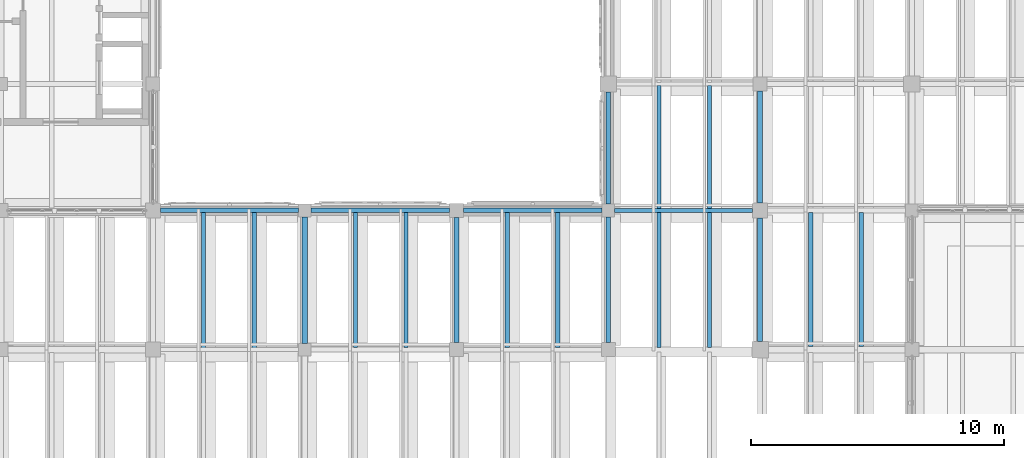
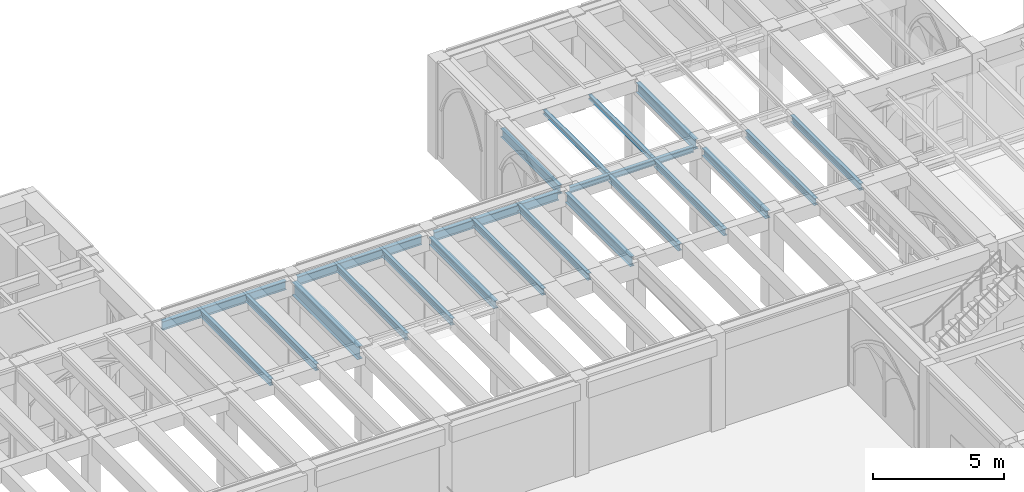
# One storey, part 32 of 127: 22 beams.
"""IFC4 building model written with IfcOpenShell, lengths in metres."""

from ifc_helpers import new_model, si_unit, direction, frame, origin, origin_2d, place, context, subcontext, project, spatial, i_section, extrude, material, material_profile, profile_set, type_object, element, save


model = new_model("IFC4")

# Units and contexts
model_context = context("Model", 3, precision=1e-05, world=origin(), true_north=direction((0.0, 1.0)))
body_context = subcontext(model_context, "Body", "Model", "MODEL_VIEW")
ifc_project = project(units=[si_unit("LENGTHUNIT", "METRE"), si_unit("AREAUNIT", "SQUARE_METRE"), si_unit("VOLUMEUNIT", "CUBIC_METRE"), si_unit("PLANEANGLEUNIT", "RADIAN"), si_unit("MASSUNIT", "GRAM", prefix="KILO")], contexts=[model_context])

# Site, building, storey
site_placement = place(None, origin())
site = spatial("IfcSite", under=ifc_project, at=site_placement, CompositionType="ELEMENT")
building_placement = place(site_placement, origin())
building = spatial("IfcBuilding", under=site, at=building_placement, Name="Cumevento Cable Car Station", CompositionType="ELEMENT")
storey_placement = place(building_placement, frame((0.0, 0.0, 4.5)))
storey = spatial("IfcBuildingStorey", under=building, at=storey_placement, Name="L02", CompositionType="ELEMENT", Elevation=4.5)

# Beams
ifc_material_1 = material(Name="Steel ASTM A572 Grade 50", Category="steel")
ifc_material_profile_1 = material_profile(ifc_material_1, i_section(OverallWidth=0.22802734375, OverallDepth=0.60791015625, WebThickness=0.01123046875, FlangeThickness=0.017333984375, at=origin_2d()), Name="W610x113.0")
ifc_profile_set_1 = profile_set([ifc_material_profile_1], Name="Steel ASTM A572 Grade 50")
beam_type_1 = type_object("IfcBeamType", Name="Structural Beam BM-02 W610x113.0", PredefinedType="BEAM", material=ifc_profile_set_1)
beam_1_placement = place(storey_placement, frame((40.0, 51.25, 3.845947265625), z_axis=(0.0, 1.0, 0.0), x_axis=(-1.0, 0.0, 0.0)))
element("IfcBeam", 1, at=beam_1_placement, inside=storey, type_object=beam_type_1, Name="Beam BM-02 L02 #571", PredefinedType="BEAM", context=body_context, shape_type="SweptSolid", body=[
    extrude(i_section(OverallWidth=0.22802734375, OverallDepth=0.60791015625, WebThickness=0.01123046875, FlangeThickness=0.017333984375, at=origin_2d()), origin(), (0.0, 0.0, 1.0), 5.0),
])
ifc_material_2 = material(Name="Steel ASTM A572 Grade 50", Category="steel")
ifc_material_profile_2 = material_profile(ifc_material_2, i_section(OverallWidth=0.18994140625, OverallDepth=0.45703125, WebThickness=0.009033203125, FlangeThickness=0.014404296875, at=origin_2d()), Name="W460x74.0")
ifc_profile_set_2 = profile_set([ifc_material_profile_2], Name="Steel ASTM A572 Grade 50")
beam_type_2 = type_object("IfcBeamType", Name="Structural Beam BM-04 W460x74.0", PredefinedType="BEAM", material=ifc_profile_set_2)
beam_2_placement = place(storey_placement, frame((52.0, 51.27490234375, 3.881591796875), z_axis=(0.0, 1.0, 0.0), x_axis=(-1.0, 0.0, 0.0)))
element("IfcBeam", 2, at=beam_2_placement, inside=storey, type_object=beam_type_2, Name="Beam BM-04 L02 #575", PredefinedType="BEAM", context=body_context, shape_type="SweptSolid", body=[
    extrude(i_section(OverallWidth=0.18994140625, OverallDepth=0.45703125, WebThickness=0.009033203125, FlangeThickness=0.014404296875, at=origin_2d()), origin(), (0.0, 0.0, 1.0), 4.97509765625),
])
beam_3_placement = place(storey_placement, frame((58.0, 56.800048828125, 3.881591796875), z_axis=(0.0, 1.0, 0.0), x_axis=(-1.0, 0.0, 0.0)))
element("IfcBeam", 3, at=beam_3_placement, inside=storey, type_object=beam_type_2, Name="Beam BM-04 L02 #644", PredefinedType="BEAM", context=body_context, shape_type="SweptSolid", body=[
    extrude(i_section(OverallWidth=0.18994140625, OverallDepth=0.45703125, WebThickness=0.009033203125, FlangeThickness=0.014404296875, at=origin_2d()), origin(), (0.0, 0.0, 1.0), 4.425048828125),
])
ifc_material_3 = material(Name="Steel ASTM A572 Grade 50", Category="steel")
ifc_material_profile_3 = material_profile(ifc_material_3, i_section(OverallWidth=0.205078125, OverallDepth=0.35400390625, WebThickness=0.009521484375, FlangeThickness=0.016845703125, at=origin_2d()), Name="W360x79.0")
ifc_profile_set_3 = profile_set([ifc_material_profile_3], Name="Steel ASTM A572 Grade 50")
beam_type_3 = type_object("IfcBeamType", Name="Structural Beam BM-05 W360x79.0", PredefinedType="BEAM", material=ifc_profile_set_3)
beam_4_placement = place(storey_placement, frame((46.0, 51.27490234375, 3.972900390625), z_axis=(0.0, 1.0, 0.0), x_axis=(-1.0, 0.0, 0.0)))
element("IfcBeam", 4, at=beam_4_placement, inside=storey, type_object=beam_type_3, Name="Beam BM-05 L02 #573", PredefinedType="BEAM", context=body_context, shape_type="SweptSolid", body=[
    extrude(i_section(OverallWidth=0.205078125, OverallDepth=0.35400390625, WebThickness=0.009521484375, FlangeThickness=0.016845703125, at=origin_2d()), origin(), (0.0, 0.0, 1.0), 4.9501953125),
])
beam_5_placement = place(storey_placement, frame((58.0, 51.324951171875, 3.93310546875), z_axis=(0.0, 1.0, 0.0), x_axis=(-1.0, 0.0, 0.0)))
element("IfcBeam", 5, at=beam_5_placement, inside=storey, type_object=beam_type_3, Name="Beam BM-05 L02 #591", PredefinedType="BEAM", context=body_context, shape_type="SweptSolid", body=[
    extrude(i_section(OverallWidth=0.205078125, OverallDepth=0.35400390625, WebThickness=0.009521484375, FlangeThickness=0.016845703125, at=origin_2d()), origin(), (0.0, 0.0, 1.0), 4.875),
])
ifc_material_4 = material(Name="Steel ASTM A572 Grade 50", Category="steel")
ifc_material_profile_4 = material_profile(ifc_material_4, i_section(OverallWidth=0.14794921875, OverallDepth=0.26611328125, WebThickness=0.007568359375, FlangeThickness=0.012939453125, at=origin_2d()), Name="W250x44.8")
ifc_profile_set_4 = profile_set([ifc_material_profile_4], Name="Steel ASTM A572 Grade 50")
beam_type_4 = type_object("IfcBeamType", Name="Structural Beam BM-07 W250x44.8", PredefinedType="BEAM", material=ifc_profile_set_4)
beam_6_placement = place(storey_placement, frame((52.25, 56.5, 3.97705078125), z_axis=(1.0, 0.0, 0.0), x_axis=(0.0, 1.0, 0.0)))
element("IfcBeam", 6, at=beam_6_placement, inside=storey, type_object=beam_type_4, Name="Beam BM-07 L02 #588", PredefinedType="BEAM", context=body_context, shape_type="SweptSolid", body=[
    extrude(i_section(OverallWidth=0.14794921875, OverallDepth=0.26611328125, WebThickness=0.007568359375, FlangeThickness=0.012939453125, at=origin_2d()), origin(), (0.0, 0.0, 1.0), 5.449951171875),
])
ifc_material_5 = material(Name="Steel ASTM A572 Grade 50", Category="steel")
ifc_material_profile_5 = material_profile(ifc_material_5, i_section(OverallWidth=0.1669921875, OverallDepth=0.31689453125, WebThickness=0.007568359375, FlangeThickness=0.01318359375, at=origin_2d()), Name="W310x52.0")
ifc_profile_set_5 = profile_set([ifc_material_profile_5], Name="Steel ASTM A572 Grade 50")
beam_type_5 = type_object("IfcBeamType", Name="Structural Joist JS-02 W310x52.0", PredefinedType="JOIST", material=ifc_profile_set_5)
for number, where, z_axis, x_axis, name in (
    (7, (36.0, 51.06201171875, 3.991455078125), (0.0, 1.0, 0.0), (-1.0, 0.0, 0.0), "Composite Floor Joist JS-02 L02 #797"),
    (8, (38.0, 51.06201171875, 3.991455078125), (0.0, 1.0, 0.0), (-1.0, 0.0, 0.0), "Composite Floor Joist JS-02 L02 #799"),
):
    element("IfcBeam", number, at=place(storey_placement, frame(where, z_axis=z_axis, x_axis=x_axis)), inside=storey, type_object=beam_type_5, Name=name, PredefinedType="JOIST", context=body_context, shape_type="SweptSolid", body=[
        extrude(i_section(OverallWidth=0.1669921875, OverallDepth=0.31689453125, WebThickness=0.007568359375, FlangeThickness=0.01318359375, at=origin_2d()), origin(), (0.0, 0.0, 1.0), 5.361083984375),
    ])
for number, where, z_axis, x_axis, name in (
    (9, (42.0, 51.089599609375, 3.991455078125), (0.0, 1.0, 0.0), (-1.0, 0.0, 0.0), "Composite Floor Joist JS-02 L02 #801"),
    (10, (44.0, 51.089599609375, 3.991455078125), (0.0, 1.0, 0.0), (-1.0, 0.0, 0.0), "Composite Floor Joist JS-02 L02 #803"),
):
    element("IfcBeam", number, at=place(storey_placement, frame(where, z_axis=z_axis, x_axis=x_axis)), inside=storey, type_object=beam_type_5, Name=name, PredefinedType="JOIST", context=body_context, shape_type="SweptSolid", body=[
        extrude(i_section(OverallWidth=0.1669921875, OverallDepth=0.31689453125, WebThickness=0.007568359375, FlangeThickness=0.01318359375, at=origin_2d()), origin(), (0.0, 0.0, 1.0), 5.33349609375),
    ])
for number, where, z_axis, x_axis, name in (
    (11, (48.0, 51.077880859375, 3.991455078125), (0.0, 1.0, 0.0), (-1.0, 0.0, 0.0), "Composite Floor Joist JS-02 L02 #805"),
    (12, (50.0, 51.077880859375, 3.991455078125), (0.0, 1.0, 0.0), (-1.0, 0.0, 0.0), "Composite Floor Joist JS-02 L02 #807"),
):
    element("IfcBeam", number, at=place(storey_placement, frame(where, z_axis=z_axis, x_axis=x_axis)), inside=storey, type_object=beam_type_5, Name=name, PredefinedType="JOIST", context=body_context, shape_type="SweptSolid", body=[
        extrude(i_section(OverallWidth=0.1669921875, OverallDepth=0.31689453125, WebThickness=0.007568359375, FlangeThickness=0.01318359375, at=origin_2d()), origin(), (0.0, 0.0, 1.0), 5.34521484375),
    ])
for number, where, z_axis, x_axis, name in (
    (13, (54.0, 51.090576171875, 3.951416015625), (0.0, 1.0, 0.0), (-1.0, 0.0, 0.0), "Composite Floor Joist JS-02 L02 #811"),
    (14, (56.0, 51.090576171875, 3.951416015625), (0.0, 1.0, 0.0), (-1.0, 0.0, 0.0), "Composite Floor Joist JS-02 L02 #813"),
):
    element("IfcBeam", number, at=place(storey_placement, frame(where, z_axis=z_axis, x_axis=x_axis)), inside=storey, type_object=beam_type_5, Name=name, PredefinedType="JOIST", context=body_context, shape_type="SweptSolid", body=[
        extrude(i_section(OverallWidth=0.1669921875, OverallDepth=0.31689453125, WebThickness=0.007568359375, FlangeThickness=0.01318359375, at=origin_2d()), origin(), (0.0, 0.0, 1.0), 5.347412109375),
    ])
for number, where, z_axis, x_axis, name in (
    (15, (60.0, 51.114990234375, 3.951416015625), (0.0, 1.0, 0.0), (-1.0, 0.0, 0.0), "Composite Floor Joist JS-02 L02 #815"),
    (16, (62.0, 51.114990234375, 3.951416015625), (0.0, 1.0, 0.0), (-1.0, 0.0, 0.0), "Composite Floor Joist JS-02 L02 #817"),
):
    element("IfcBeam", number, at=place(storey_placement, frame(where, z_axis=z_axis, x_axis=x_axis)), inside=storey, type_object=beam_type_5, Name=name, PredefinedType="JOIST", context=body_context, shape_type="SweptSolid", body=[
        extrude(i_section(OverallWidth=0.1669921875, OverallDepth=0.31689453125, WebThickness=0.007568359375, FlangeThickness=0.01318359375, at=origin_2d()), origin(), (0.0, 0.0, 1.0), 5.29541015625),
    ])
ifc_material_6 = material(Name="Steel ASTM A572 Grade 50", Category="steel")
ifc_material_profile_6 = material_profile(ifc_material_6, i_section(OverallWidth=0.1650390625, OverallDepth=0.200927734375, WebThickness=0.006103515625, FlangeThickness=0.01025390625, at=origin_2d()), Name="W200x35.9")
ifc_profile_set_6 = profile_set([ifc_material_profile_6], Name="Steel ASTM A572 Grade 50")
beam_type_6 = type_object("IfcBeamType", Name="Structural Joist JS-04 W200x35.9", PredefinedType="JOIST", material=ifc_profile_set_6)
for number, where, z_axis, x_axis, name in (
    (17, (54.0, 56.56201171875, 4.009521484375), (0.0, 1.0, 0.0), (-1.0, 0.0, 0.0), "Composite Floor Joist JS-04 L02 #854"),
    (18, (56.0, 56.56201171875, 4.009521484375), (0.0, 1.0, 0.0), (-1.0, 0.0, 0.0), "Composite Floor Joist JS-04 L02 #856"),
):
    element("IfcBeam", number, at=place(storey_placement, frame(where, z_axis=z_axis, x_axis=x_axis)), inside=storey, type_object=beam_type_6, Name=name, PredefinedType="JOIST", context=body_context, shape_type="SweptSolid", body=[
        extrude(i_section(OverallWidth=0.1650390625, OverallDepth=0.200927734375, WebThickness=0.006103515625, FlangeThickness=0.01025390625, at=origin_2d()), origin(), (0.0, 0.0, 1.0), 4.8759765625),
    ])
ifc_material_7 = material(Name="Steel ASTM A572 Grade 50", Category="steel")
ifc_material_profile_7 = material_profile(ifc_material_7, i_section(OverallWidth=0.177978515625, OverallDepth=0.406982421875, WebThickness=0.0078125, FlangeThickness=0.0126953125, at=origin_2d()), Name="W410x60.0")
ifc_profile_set_7 = profile_set([ifc_material_profile_7], Name="Steel ASTM A572 Grade 50")
beam_type_7 = type_object("IfcBeamType", Name="Structural Spandrel SP-01 W410x60.0", PredefinedType="SPANDREL", material=ifc_profile_set_7)
beam_7_placement = place(storey_placement, frame((34.300048828125, 56.5, 3.946533203125), z_axis=(1.0, 0.0, 0.0), x_axis=(0.0, 1.0, 0.0)))
element("IfcBeam", 19, at=beam_7_placement, inside=storey, type_object=beam_type_7, Name="Beam SP-01 L02 #561", PredefinedType="SPANDREL", context=body_context, shape_type="SweptSolid", body=[
    extrude(i_section(OverallWidth=0.177978515625, OverallDepth=0.406982421875, WebThickness=0.0078125, FlangeThickness=0.0126953125, at=origin_2d()), origin(), (0.0, 0.0, 1.0), 5.449951171875),
])
for number, where, z_axis, x_axis, name in (
    (20, (40.25, 56.5, 3.946533203125), (1.0, 0.0, 0.0), (0.0, 1.0, 0.0), "Beam SP-01 L02 #562"),
    (21, (46.27490234375, 56.5, 3.906494140625), (1.0, 0.0, 0.0), (0.0, 1.0, 0.0), "Beam SP-01 L02 #563"),
):
    element("IfcBeam", number, at=place(storey_placement, frame(where, z_axis=z_axis, x_axis=x_axis)), inside=storey, type_object=beam_type_7, Name=name, PredefinedType="SPANDREL", context=body_context, shape_type="SweptSolid", body=[
        extrude(i_section(OverallWidth=0.177978515625, OverallDepth=0.406982421875, WebThickness=0.0078125, FlangeThickness=0.0126953125, at=origin_2d()), origin(), (0.0, 0.0, 1.0), 5.47509765625),
    ])
beam_8_placement = place(storey_placement, frame((52.0, 56.75, 3.906494140625), z_axis=(0.0, 1.0, 0.0), x_axis=(-1.0, 0.0, 0.0)))
element("IfcBeam", 22, at=beam_8_placement, inside=storey, type_object=beam_type_7, Name="Beam SP-01 L02 #642", PredefinedType="SPANDREL", context=body_context, shape_type="SweptSolid", body=[
    extrude(i_section(OverallWidth=0.177978515625, OverallDepth=0.406982421875, WebThickness=0.0078125, FlangeThickness=0.0126953125, at=origin_2d()), origin(), (0.0, 0.0, 1.0), 4.425048828125),
])

save(model, "model.ifc")
